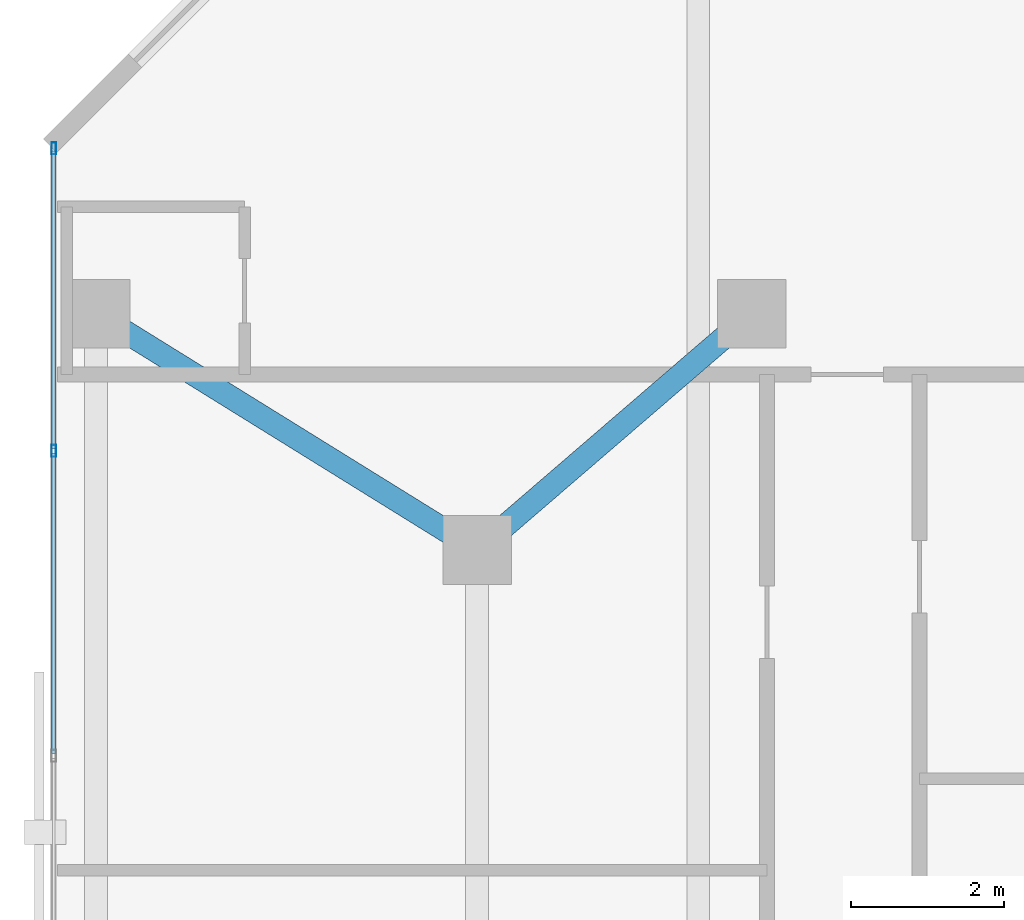
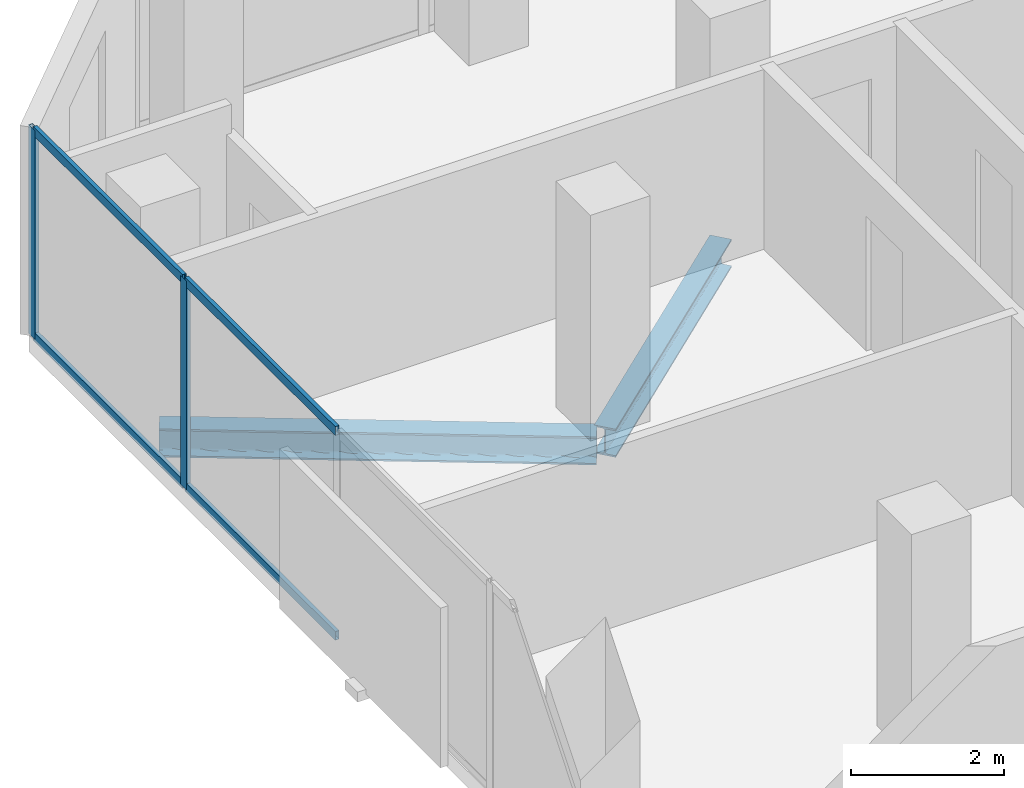
# One storey, part 17 of 33: 6 members, 2 beams, 1 element without a shape of its own.
"""IFC4 building model written with IfcOpenShell, lengths in metres."""

from ifc_helpers import new_model, si_unit, direction, frame, origin, origin_2d, place, context, subcontext, project, spatial, hollow_rectangle, i_section, extrude, material, layer, layer_set, material_profile, profile_set, type_object, element, aggregate, save


model = new_model("IFC4")

# Units and contexts
model_context = context("Model", 3, precision=1e-05, world=origin(), true_north=direction((0.0, 1.0)))
body_context = subcontext(model_context, "Body", "Model", "MODEL_VIEW")
ifc_project = project(units=[si_unit("LENGTHUNIT", "METRE"), si_unit("AREAUNIT", "SQUARE_METRE"), si_unit("VOLUMEUNIT", "CUBIC_METRE"), si_unit("PLANEANGLEUNIT", "RADIAN"), si_unit("MASSUNIT", "GRAM", prefix="KILO")], contexts=[model_context])

# Site, building, storey
site_placement = place(None, origin())
site = spatial("IfcSite", under=ifc_project, at=site_placement, CompositionType="ELEMENT")
building_placement = place(site_placement, origin())
building = spatial("IfcBuilding", under=site, at=building_placement, Name="Catumbela Crestline Tower", CompositionType="ELEMENT")
storey_placement = place(building_placement, frame((0.0, 0.0, 104.4)))
storey = spatial("IfcBuildingStorey", under=building, at=storey_placement, Name="L26", CompositionType="ELEMENT", Elevation=104.4)

# Beams
ifc_material_1 = material(Name="Structural steel S355J2", Category="steel")
ifc_material_profile_1 = material_profile(ifc_material_1, i_section(OverallWidth=0.3, OverallDepth=0.45, WebThickness=0.014, FlangeThickness=0.026, FilletRadius=0.027, at=origin_2d()), Name="HEB 450")
ifc_profile_set_1 = profile_set([ifc_material_profile_1], Name="Structural steel S355J2")
beam_type = type_object("IfcBeamType", Name="BG-HEB450", PredefinedType="BEAM", material=ifc_profile_set_1)
beam_1_placement = place(storey_placement, frame((0.668, 42.2578, -0.485), z_axis=(0.849908952007, -0.526929571479, 0.0), x_axis=(0.526929571479, 0.849908952007, 0.0)))
element("IfcBeam", 1, at=beam_1_placement, inside=storey, type_object=beam_type, Name="L26 Beam BM-L26-N12", PredefinedType="BEAM", context=body_context, shape_type="SweptSolid", body=[
    extrude(i_section(OverallWidth=0.3, OverallDepth=0.45, WebThickness=0.014, FlangeThickness=0.026, FilletRadius=0.027, at=origin_2d()), origin(), (0.0, 0.0, 1.0), 5.723),
])
beam_2_placement = place(storey_placement, frame((5.6606, 39.2522, -0.485), z_axis=(0.757772392559, 0.652518966066, 0.0), x_axis=(-0.652518966066, 0.757772392559, 0.0)))
element("IfcBeam", 2, at=beam_2_placement, inside=storey, type_object=beam_type, Name="L26 Beam BM-L26-N13", PredefinedType="BEAM", context=body_context, shape_type="SweptSolid", body=[
    extrude(i_section(OverallWidth=0.3, OverallDepth=0.45, WebThickness=0.014, FlangeThickness=0.026, FilletRadius=0.027, at=origin_2d()), origin(), (0.0, 0.0, 1.0), 4.5908),
])

# Curtain wall, members
ifc_material_2 = material(Name="Aluminium alloy AW-6060-T66", Category="aluminium")
ifc_layer = layer(ifc_material_2, 0.18, Name="Aluminium alloy AW-6060-T66")
ifc_layer_set = layer_set([ifc_layer], Name="Aluminium alloy AW-6060-T66")
curtain_wall_type = type_object("IfcCurtainWallType", Name="CWU-Z2", PredefinedType="USERDEFINED", material=ifc_layer_set)
curtain_wall_placement = place(storey_placement, origin())
curtain_wall = element("IfcCurtainWall", 3, at=curtain_wall_placement, inside=storey, type_object=curtain_wall_type, Name="L26 Unitised Curtain Wall CW-L26-E9S1", ObjectType="UNITISED", PredefinedType="USERDEFINED")
ifc_material_profile_2 = material_profile(ifc_material_2, hollow_rectangle(XDim=0.06, YDim=0.16, WallThickness=0.004, at=origin_2d()), Name="ALU 160x60x4")
ifc_profile_set_2 = profile_set([ifc_material_profile_2], Name="Aluminium alloy AW-6060-T66")
member_type_1 = type_object("IfcMemberType", Name="MUL-160X60", PredefinedType="MULLION", material=ifc_profile_set_2)
member_1_placement = place(storey_placement, frame((0.05, 44.4675, 0.0), z_axis=(0.0, 0.0, 1.0), x_axis=(1.0, 0.0, 0.0)))
member_1 = element("IfcMember", 4, at=member_1_placement, type_object=member_type_1, Name="CWU-Z2 mullion 1", PredefinedType="MULLION", context=body_context, shape_type="SweptSolid", body=[
    extrude(hollow_rectangle(XDim=0.06, YDim=0.16, WallThickness=0.004, at=origin_2d()), origin(), (0.0, 0.0, 1.0), 3.33),
])
member_2_placement = place(storey_placement, frame((0.05, 40.5, 0.0), z_axis=(0.0, 0.0, 1.0), x_axis=(1.0, 0.0, 0.0)))
member_2 = element("IfcMember", 5, at=member_2_placement, type_object=member_type_1, Name="CWU-Z2 mullion 2", PredefinedType="MULLION", context=body_context, shape_type="SweptSolid", body=[
    extrude(hollow_rectangle(XDim=0.06, YDim=0.16, WallThickness=0.004, at=origin_2d()), origin(), (0.0, 0.0, 1.0), 3.33),
])
ifc_material_profile_3 = material_profile(ifc_material_2, hollow_rectangle(XDim=0.06, YDim=0.14, WallThickness=0.004, at=origin_2d()), Name="ALU 140x60x4")
ifc_profile_set_3 = profile_set([ifc_material_profile_3], Name="Aluminium alloy AW-6060-T66")
member_type_2 = type_object("IfcMemberType", Name="TRN-140X60", PredefinedType="USERDEFINED", material=ifc_profile_set_3)
member_3_placement = place(storey_placement, frame((0.05, 44.435, 0.03), z_axis=(0.0, -1.0, 0.0), x_axis=(1.0, 0.0, 0.0)))
member_3 = element("IfcMember", 6, at=member_3_placement, type_object=member_type_2, Name="CWU-Z2 transom 1.1", ObjectType="TRANSOM", PredefinedType="USERDEFINED", context=body_context, shape_type="SweptSolid", body=[
    extrude(hollow_rectangle(XDim=0.06, YDim=0.14, WallThickness=0.004, at=origin_2d()), origin(), (0.0, 0.0, 1.0), 3.9025),
])
member_4_placement = place(storey_placement, frame((0.05, 44.435, 3.3), z_axis=(0.0, -1.0, 0.0), x_axis=(1.0, 0.0, 0.0)))
member_4 = element("IfcMember", 7, at=member_4_placement, type_object=member_type_2, Name="CWU-Z2 transom 1.2", ObjectType="TRANSOM", PredefinedType="USERDEFINED", context=body_context, shape_type="SweptSolid", body=[
    extrude(hollow_rectangle(XDim=0.06, YDim=0.14, WallThickness=0.004, at=origin_2d()), origin(), (0.0, 0.0, 1.0), 3.9025),
])
member_5_placement = place(storey_placement, frame((0.05, 40.4675, 0.03), z_axis=(0.0, -1.0, 0.0), x_axis=(1.0, 0.0, 0.0)))
member_5 = element("IfcMember", 8, at=member_5_placement, type_object=member_type_2, Name="CWU-Z2 transom 2.1", ObjectType="TRANSOM", PredefinedType="USERDEFINED", context=body_context, shape_type="SweptSolid", body=[
    extrude(hollow_rectangle(XDim=0.06, YDim=0.14, WallThickness=0.004, at=origin_2d()), origin(), (0.0, 0.0, 1.0), 3.935),
])
member_6_placement = place(storey_placement, frame((0.05, 40.4675, 3.3), z_axis=(0.0, -1.0, 0.0), x_axis=(1.0, 0.0, 0.0)))
member_6 = element("IfcMember", 9, at=member_6_placement, type_object=member_type_2, Name="CWU-Z2 transom 2.2", ObjectType="TRANSOM", PredefinedType="USERDEFINED", context=body_context, shape_type="SweptSolid", body=[
    extrude(hollow_rectangle(XDim=0.06, YDim=0.14, WallThickness=0.004, at=origin_2d()), origin(), (0.0, 0.0, 1.0), 3.935),
])
aggregate(curtain_wall, [member_1, member_2, member_3, member_4, member_5, member_6])

save(model, "model.ifc")
